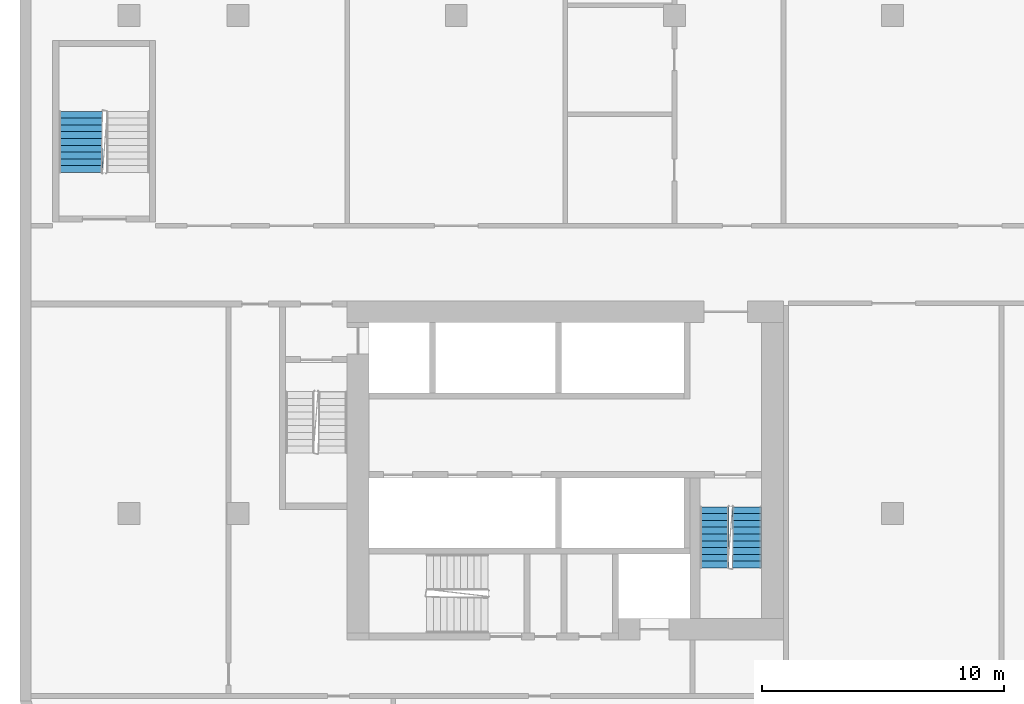
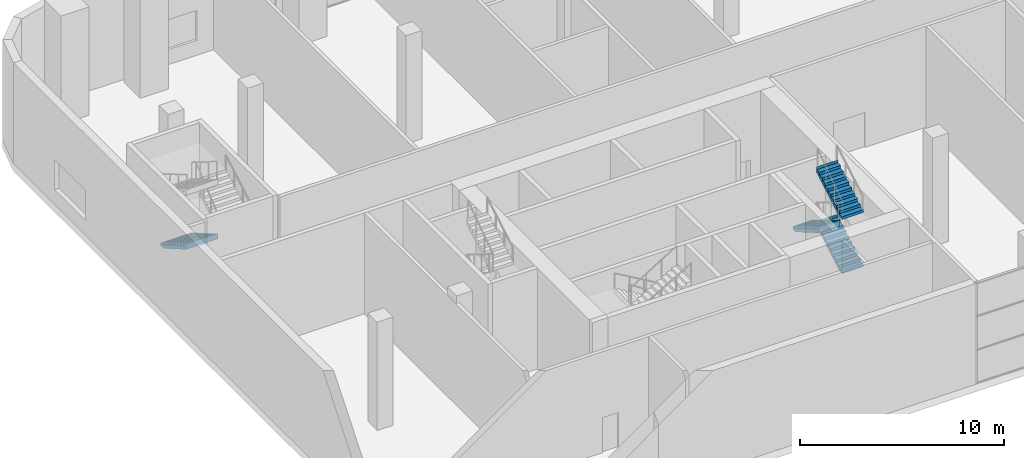
# One storey, part 16 of 24: 4 stair flights, 2 elements without a shape of their own.
"""IFC4 building model written with IfcOpenShell, lengths in metres."""

from ifc_helpers import new_model, si_unit, direction, frame, origin, place, context, subcontext, project, spatial, faceted_brep, material, type_object, element, aggregate, save


model = new_model("IFC4")

# Units and contexts
model_context = context("Model", 3, precision=1e-05, world=origin(), true_north=direction((0.0, 1.0)))
body_context = subcontext(model_context, "Body", "Model", "MODEL_VIEW")
ifc_project = project(units=[si_unit("LENGTHUNIT", "METRE"), si_unit("AREAUNIT", "SQUARE_METRE"), si_unit("VOLUMEUNIT", "CUBIC_METRE"), si_unit("PLANEANGLEUNIT", "RADIAN"), si_unit("MASSUNIT", "GRAM", prefix="KILO")], contexts=[model_context])

# Site, building, storey
site_placement = place(None, origin())
site = spatial("IfcSite", under=ifc_project, at=site_placement, CompositionType="ELEMENT")
building_placement = place(site_placement, origin())
building = spatial("IfcBuilding", under=site, at=building_placement, Name="Kajstack Hotel Tower", CompositionType="ELEMENT")
storey_placement = place(building_placement, frame((0.0, 0.0, 17.0)))
storey = spatial("IfcBuildingStorey", under=building, at=storey_placement, Name="L02", CompositionType="ELEMENT", Elevation=17.0)

# Stair, stair flight
ifc_material = material(Name="Concrete C40/50", Category="concrete")
stair_type_1 = type_object("IfcStairType", Name="Escape stair 1800", PredefinedType="HALF_TURN_STAIR", material=ifc_material)
stair_1_placement = place(storey_placement, origin())
stair_1 = element("IfcStair", 1, at=stair_1_placement, inside=storey, type_object=stair_type_1, Name="L02 stair P1", PredefinedType="HALF_TURN_STAIR")
stair_flight_type_1 = type_object("IfcStairFlightType", Name="Escape stair flight 1800", PredefinedType="STRAIGHT", material=ifc_material)
stair_flight_1_placement = place(storey_placement, frame((-42.5, 6.320068359375, 1.625), z_axis=(0.0, 0.0, 1.0), x_axis=(0.0, -1.0, 0.0)))
stair_flight_1 = element("IfcStairFlight", 2, at=stair_flight_1_placement, type_object=stair_flight_type_1, Name="P1 flight 2", NumberOfRisers=10, NumberOfTreads=9, PredefinedType="STRAIGHT", RiserHeight=0.1625, TreadLength=0.28, context=body_context, shape_type="Brep", body=[
    faceted_brep([(0.299072265625, -0.89990234375, 0.0), (2.5205078125, -0.89990234375, 1.2890625), (2.5205078125, -0.89990234375, 1.625), (2.52001953125, -0.89990234375, 1.625), (2.52001953125, -0.89990234375, 1.46240234375), (2.239990234375, -0.89990234375, 1.46240234375), (2.239990234375, -0.89990234375, 1.300048828125), (1.9599609375, -0.89990234375, 1.300048828125), (1.9599609375, -0.89990234375, 1.137451171875), (1.679931640625, -0.89990234375, 1.137451171875), (1.679931640625, -0.89990234375, 0.97509765625), (1.39990234375, -0.89990234375, 0.97509765625), (1.39990234375, -0.89990234375, 0.8125), (1.1201171875, -0.89990234375, 0.8125), (1.1201171875, -0.89990234375, 0.64990234375), (0.840087890625, -0.89990234375, 0.64990234375), (0.840087890625, -0.89990234375, 0.487548828125), (0.56005859375, -0.89990234375, 0.487548828125), (0.56005859375, -0.89990234375, 0.324951171875), (0.280029296875, -0.89990234375, 0.324951171875), (0.280029296875, -0.89990234375, 0.16259765625), (-0.00048828125, -0.89990234375, 0.16259765625), (-0.00048828125, -0.89990234375, 0.0), (-0.00048828125, 0.89990234375, 0.0), (-0.00048828125, 0.89990234375, 0.16259765625), (0.280029296875, 0.89990234375, 0.16259765625), (0.280029296875, 0.89990234375, 0.324951171875), (0.56005859375, 0.89990234375, 0.324951171875), (0.56005859375, 0.89990234375, 0.487548828125), (0.840087890625, 0.89990234375, 0.487548828125), (0.840087890625, 0.89990234375, 0.64990234375), (1.1201171875, 0.89990234375, 0.64990234375), (1.1201171875, 0.89990234375, 0.8125), (1.39990234375, 0.89990234375, 0.8125), (1.39990234375, 0.89990234375, 0.97509765625), (1.679931640625, 0.89990234375, 0.97509765625), (1.679931640625, 0.89990234375, 1.137451171875), (1.9599609375, 0.89990234375, 1.137451171875), (1.9599609375, 0.89990234375, 1.300048828125), (2.239990234375, 0.89990234375, 1.300048828125), (2.239990234375, 0.89990234375, 1.46240234375), (2.52001953125, 0.89990234375, 1.46240234375), (2.52001953125, 0.89990234375, 1.625), (2.5205078125, 0.89990234375, 1.625), (2.5205078125, 0.89990234375, 1.2890625), (0.299072265625, 0.89990234375, 0.0), (-0.00048828125, -0.449951171875, 0.16259765625), (-0.00048828125, 0.0, 0.16259765625), (-0.00048828125, 0.449951171875, 0.16259765625), (-0.00048828125, 0.449951171875, 0.0), (-0.00048828125, 0.0, 0.0), (-0.00048828125, -0.449951171875, 0.0), (0.280029296875, -0.449951171875, 0.16259765625), (0.280029296875, 0.0, 0.16259765625), (0.280029296875, 0.449951171875, 0.16259765625), (0.280029296875, -0.449951171875, 0.324951171875), (0.280029296875, 0.0, 0.324951171875), (0.280029296875, 0.449951171875, 0.324951171875), (0.56005859375, -0.449951171875, 0.324951171875), (0.56005859375, 0.0, 0.324951171875), (0.56005859375, 0.449951171875, 0.324951171875), (0.56005859375, -0.449951171875, 0.487548828125), (0.56005859375, 0.0, 0.487548828125), (0.56005859375, 0.449951171875, 0.487548828125), (0.840087890625, -0.449951171875, 0.487548828125), (0.840087890625, 0.0, 0.487548828125), (0.840087890625, 0.449951171875, 0.487548828125), (0.840087890625, -0.449951171875, 0.64990234375), (0.840087890625, 0.0, 0.64990234375), (0.840087890625, 0.449951171875, 0.64990234375), (1.1201171875, -0.449951171875, 0.64990234375), (1.1201171875, 0.0, 0.64990234375), (1.1201171875, 0.449951171875, 0.64990234375), (1.1201171875, -0.449951171875, 0.8125), (1.1201171875, 0.0, 0.8125), (1.1201171875, 0.449951171875, 0.8125), (1.39990234375, -0.449951171875, 0.8125), (1.39990234375, 0.0, 0.8125), (1.39990234375, 0.449951171875, 0.8125), (1.39990234375, -0.449951171875, 0.97509765625), (1.39990234375, 0.0, 0.97509765625), (1.39990234375, 0.449951171875, 0.97509765625), (1.679931640625, -0.449951171875, 0.97509765625), (1.679931640625, 0.0, 0.97509765625), (1.679931640625, 0.449951171875, 0.97509765625), (1.679931640625, -0.449951171875, 1.137451171875), (1.679931640625, 0.0, 1.137451171875), (1.679931640625, 0.449951171875, 1.137451171875), (1.9599609375, -0.449951171875, 1.137451171875), (1.9599609375, 0.0, 1.137451171875), (1.9599609375, 0.449951171875, 1.137451171875), (1.9599609375, -0.449951171875, 1.300048828125), (1.9599609375, 0.0, 1.300048828125), (1.9599609375, 0.449951171875, 1.300048828125), (2.239990234375, -0.449951171875, 1.300048828125), (2.239990234375, 0.0, 1.300048828125), (2.239990234375, 0.449951171875, 1.300048828125), (2.239990234375, -0.449951171875, 1.46240234375), (2.239990234375, 0.0, 1.46240234375), (2.239990234375, 0.449951171875, 1.46240234375), (2.52001953125, -0.449951171875, 1.46240234375), (2.52001953125, 0.0, 1.46240234375), (2.52001953125, 0.449951171875, 1.46240234375), (2.52001953125, -0.449951171875, 1.625), (2.52001953125, 0.0, 1.625), (2.52001953125, 0.449951171875, 1.625), (2.5205078125, -0.449951171875, 1.625), (2.5205078125, 0.0, 1.625), (2.5205078125, 0.449951171875, 1.625), (2.5205078125, -0.449951171875, 1.2890625), (2.5205078125, 0.0, 1.2890625), (2.5205078125, 0.449951171875, 1.2890625), (0.299072265625, -0.449951171875, 0.0), (0.299072265625, 0.0, 0.0), (0.299072265625, 0.449951171875, 0.0)], [[[0, 1, 2, 3, 4, 5, 6, 7, 8, 9, 10, 11, 12, 13, 14, 15, 16, 17, 18, 19, 20, 21, 22]], [[23, 24, 25, 26, 27, 28, 29, 30, 31, 32, 33, 34, 35, 36, 37, 38, 39, 40, 41, 42, 43, 44, 45]], [[21, 46, 47, 48, 24, 23, 49, 50, 51, 22]], [[20, 52, 53, 54, 25, 24, 48, 47, 46, 21]], [[19, 55, 56, 57, 26, 25, 54, 53, 52, 20]], [[18, 58, 59, 60, 27, 26, 57, 56, 55, 19]], [[17, 61, 62, 63, 28, 27, 60, 59, 58, 18]], [[16, 64, 65, 66, 29, 28, 63, 62, 61, 17]], [[15, 67, 68, 69, 30, 29, 66, 65, 64, 16]], [[14, 70, 71, 72, 31, 30, 69, 68, 67, 15]], [[13, 73, 74, 75, 32, 31, 72, 71, 70, 14]], [[12, 76, 77, 78, 33, 32, 75, 74, 73, 13]], [[11, 79, 80, 81, 34, 33, 78, 77, 76, 12]], [[10, 82, 83, 84, 35, 34, 81, 80, 79, 11]], [[9, 85, 86, 87, 36, 35, 84, 83, 82, 10]], [[8, 88, 89, 90, 37, 36, 87, 86, 85, 9]], [[7, 91, 92, 93, 38, 37, 90, 89, 88, 8]], [[6, 94, 95, 96, 39, 38, 93, 92, 91, 7]], [[5, 97, 98, 99, 40, 39, 96, 95, 94, 6]], [[4, 100, 101, 102, 41, 40, 99, 98, 97, 5]], [[3, 103, 104, 105, 42, 41, 102, 101, 100, 4]], [[2, 106, 107, 108, 43, 42, 105, 104, 103, 3]], [[1, 109, 110, 111, 44, 43, 108, 107, 106, 2]], [[0, 112, 113, 114, 45, 44, 111, 110, 109, 1]], [[22, 51, 50, 49, 23, 45, 114, 113, 112, 0]]]),
])
aggregate(stair_1, [stair_flight_1])

# Stair, stair flights
stair_type_2 = type_object("IfcStairType", Name="Exit stair 1200", PredefinedType="HALF_TURN_STAIR", material=ifc_material)
stair_2_placement = place(storey_placement, origin())
stair_2 = element("IfcStair", 3, at=stair_2_placement, inside=storey, type_object=stair_type_2, Name="L02 stair W2", PredefinedType="HALF_TURN_STAIR")
stair_flight_type_2 = type_object("IfcStairFlightType", Name="Exit stair flight 1200", PredefinedType="STRAIGHT", material=ifc_material)
stair_flight_2_placement = place(storey_placement, frame((-15.0, -12.52001953125, 1.625), z_axis=(0.0, 0.0, 1.0), x_axis=(0.0, 1.0, 0.0)))
stair_flight_2 = element("IfcStairFlight", 4, at=stair_flight_2_placement, type_object=stair_flight_type_2, Name="W2 flight 2", NumberOfRisers=10, NumberOfTreads=9, PredefinedType="STRAIGHT", RiserHeight=0.1625, TreadLength=0.28, context=body_context, shape_type="Brep", body=[
    faceted_brep([(0.299072265625, -0.60009765625, 0.0), (2.5205078125, -0.60009765625, 1.2890625), (2.5205078125, -0.60009765625, 1.625), (2.52001953125, -0.60009765625, 1.625), (2.52001953125, -0.60009765625, 1.46240234375), (2.239990234375, -0.60009765625, 1.46240234375), (2.239990234375, -0.60009765625, 1.300048828125), (1.9599609375, -0.60009765625, 1.300048828125), (1.9599609375, -0.60009765625, 1.137451171875), (1.679931640625, -0.60009765625, 1.137451171875), (1.679931640625, -0.60009765625, 0.97509765625), (1.39990234375, -0.60009765625, 0.97509765625), (1.39990234375, -0.60009765625, 0.8125), (1.1201171875, -0.60009765625, 0.8125), (1.1201171875, -0.60009765625, 0.64990234375), (0.840087890625, -0.60009765625, 0.64990234375), (0.840087890625, -0.60009765625, 0.487548828125), (0.56005859375, -0.60009765625, 0.487548828125), (0.56005859375, -0.60009765625, 0.324951171875), (0.280029296875, -0.60009765625, 0.324951171875), (0.280029296875, -0.60009765625, 0.16259765625), (-0.00048828125, -0.60009765625, 0.16259765625), (-0.00048828125, -0.60009765625, 0.0), (-0.00048828125, 0.60009765625, 0.0), (-0.00048828125, 0.60009765625, 0.16259765625), (0.280029296875, 0.60009765625, 0.16259765625), (0.280029296875, 0.60009765625, 0.324951171875), (0.56005859375, 0.60009765625, 0.324951171875), (0.56005859375, 0.60009765625, 0.487548828125), (0.840087890625, 0.60009765625, 0.487548828125), (0.840087890625, 0.60009765625, 0.64990234375), (1.1201171875, 0.60009765625, 0.64990234375), (1.1201171875, 0.60009765625, 0.8125), (1.39990234375, 0.60009765625, 0.8125), (1.39990234375, 0.60009765625, 0.97509765625), (1.679931640625, 0.60009765625, 0.97509765625), (1.679931640625, 0.60009765625, 1.137451171875), (1.9599609375, 0.60009765625, 1.137451171875), (1.9599609375, 0.60009765625, 1.300048828125), (2.239990234375, 0.60009765625, 1.300048828125), (2.239990234375, 0.60009765625, 1.46240234375), (2.52001953125, 0.60009765625, 1.46240234375), (2.52001953125, 0.60009765625, 1.625), (2.5205078125, 0.60009765625, 1.625), (2.5205078125, 0.60009765625, 1.2890625), (0.299072265625, 0.60009765625, 0.0), (-0.00048828125, -0.300048828125, 0.16259765625), (-0.00048828125, 0.0, 0.16259765625), (-0.00048828125, 0.300048828125, 0.16259765625), (-0.00048828125, 0.300048828125, 0.0), (-0.00048828125, 0.0, 0.0), (-0.00048828125, -0.300048828125, 0.0), (0.280029296875, -0.300048828125, 0.16259765625), (0.280029296875, 0.0, 0.16259765625), (0.280029296875, 0.300048828125, 0.16259765625), (0.280029296875, -0.300048828125, 0.324951171875), (0.280029296875, 0.0, 0.324951171875), (0.280029296875, 0.300048828125, 0.324951171875), (0.56005859375, -0.300048828125, 0.324951171875), (0.56005859375, 0.0, 0.324951171875), (0.56005859375, 0.300048828125, 0.324951171875), (0.56005859375, -0.300048828125, 0.487548828125), (0.56005859375, 0.0, 0.487548828125), (0.56005859375, 0.300048828125, 0.487548828125), (0.840087890625, -0.300048828125, 0.487548828125), (0.840087890625, 0.0, 0.487548828125), (0.840087890625, 0.300048828125, 0.487548828125), (0.840087890625, -0.300048828125, 0.64990234375), (0.840087890625, 0.0, 0.64990234375), (0.840087890625, 0.300048828125, 0.64990234375), (1.1201171875, -0.300048828125, 0.64990234375), (1.1201171875, 0.0, 0.64990234375), (1.1201171875, 0.300048828125, 0.64990234375), (1.1201171875, -0.300048828125, 0.8125), (1.1201171875, 0.0, 0.8125), (1.1201171875, 0.300048828125, 0.8125), (1.39990234375, -0.300048828125, 0.8125), (1.39990234375, 0.0, 0.8125), (1.39990234375, 0.300048828125, 0.8125), (1.39990234375, -0.300048828125, 0.97509765625), (1.39990234375, 0.0, 0.97509765625), (1.39990234375, 0.300048828125, 0.97509765625), (1.679931640625, -0.300048828125, 0.97509765625), (1.679931640625, 0.0, 0.97509765625), (1.679931640625, 0.300048828125, 0.97509765625), (1.679931640625, -0.300048828125, 1.137451171875), (1.679931640625, 0.0, 1.137451171875), (1.679931640625, 0.300048828125, 1.137451171875), (1.9599609375, -0.300048828125, 1.137451171875), (1.9599609375, 0.0, 1.137451171875), (1.9599609375, 0.300048828125, 1.137451171875), (1.9599609375, -0.300048828125, 1.300048828125), (1.9599609375, 0.0, 1.300048828125), (1.9599609375, 0.300048828125, 1.300048828125), (2.239990234375, -0.300048828125, 1.300048828125), (2.239990234375, 0.0, 1.300048828125), (2.239990234375, 0.300048828125, 1.300048828125), (2.239990234375, -0.300048828125, 1.46240234375), (2.239990234375, 0.0, 1.46240234375), (2.239990234375, 0.300048828125, 1.46240234375), (2.52001953125, -0.300048828125, 1.46240234375), (2.52001953125, 0.0, 1.46240234375), (2.52001953125, 0.300048828125, 1.46240234375), (2.52001953125, -0.300048828125, 1.625), (2.52001953125, 0.0, 1.625), (2.52001953125, 0.300048828125, 1.625), (2.5205078125, -0.300048828125, 1.625), (2.5205078125, 0.0, 1.625), (2.5205078125, 0.300048828125, 1.625), (2.5205078125, -0.300048828125, 1.2890625), (2.5205078125, 0.0, 1.2890625), (2.5205078125, 0.300048828125, 1.2890625), (0.299072265625, -0.300048828125, 0.0), (0.299072265625, 0.0, 0.0), (0.299072265625, 0.300048828125, 0.0)], [[[0, 1, 2, 3, 4, 5, 6, 7, 8, 9, 10, 11, 12, 13, 14, 15, 16, 17, 18, 19, 20, 21, 22]], [[23, 24, 25, 26, 27, 28, 29, 30, 31, 32, 33, 34, 35, 36, 37, 38, 39, 40, 41, 42, 43, 44, 45]], [[21, 46, 47, 48, 24, 23, 49, 50, 51, 22]], [[20, 52, 53, 54, 25, 24, 48, 47, 46, 21]], [[19, 55, 56, 57, 26, 25, 54, 53, 52, 20]], [[18, 58, 59, 60, 27, 26, 57, 56, 55, 19]], [[17, 61, 62, 63, 28, 27, 60, 59, 58, 18]], [[16, 64, 65, 66, 29, 28, 63, 62, 61, 17]], [[15, 67, 68, 69, 30, 29, 66, 65, 64, 16]], [[14, 70, 71, 72, 31, 30, 69, 68, 67, 15]], [[13, 73, 74, 75, 32, 31, 72, 71, 70, 14]], [[12, 76, 77, 78, 33, 32, 75, 74, 73, 13]], [[11, 79, 80, 81, 34, 33, 78, 77, 76, 12]], [[10, 82, 83, 84, 35, 34, 81, 80, 79, 11]], [[9, 85, 86, 87, 36, 35, 84, 83, 82, 10]], [[8, 88, 89, 90, 37, 36, 87, 86, 85, 9]], [[7, 91, 92, 93, 38, 37, 90, 89, 88, 8]], [[6, 94, 95, 96, 39, 38, 93, 92, 91, 7]], [[5, 97, 98, 99, 40, 39, 96, 95, 94, 6]], [[4, 100, 101, 102, 41, 40, 99, 98, 97, 5]], [[3, 103, 104, 105, 42, 41, 102, 101, 100, 4]], [[2, 106, 107, 108, 43, 42, 105, 104, 103, 3]], [[1, 109, 110, 111, 44, 43, 108, 107, 106, 2]], [[0, 112, 113, 114, 45, 44, 111, 110, 109, 1]], [[22, 51, 50, 49, 23, 45, 114, 113, 112, 0]]]),
])
stair_flight_3_placement = place(storey_placement, frame((-16.35009765625, -10.0, 3.25), z_axis=(0.0, 0.0, 1.0), x_axis=(0.0, -1.0, 0.0)))
stair_flight_3 = element("IfcStairFlight", 5, at=stair_flight_3_placement, type_object=stair_flight_type_2, Name="W2 flight 3", NumberOfRisers=10, NumberOfTreads=9, PredefinedType="STRAIGHT", RiserHeight=0.1625, TreadLength=0.28, context=body_context, shape_type="Brep", body=[
    faceted_brep([(0.299072265625, -0.60009765625, 0.0), (2.5205078125, -0.60009765625, 1.2890625), (2.5205078125, -0.60009765625, 1.625), (2.52001953125, -0.60009765625, 1.625), (2.52001953125, -0.60009765625, 1.46240234375), (2.239990234375, -0.60009765625, 1.46240234375), (2.239990234375, -0.60009765625, 1.300048828125), (1.9599609375, -0.60009765625, 1.300048828125), (1.9599609375, -0.60009765625, 1.137451171875), (1.679931640625, -0.60009765625, 1.137451171875), (1.679931640625, -0.60009765625, 0.97509765625), (1.39990234375, -0.60009765625, 0.97509765625), (1.39990234375, -0.60009765625, 0.8125), (1.1201171875, -0.60009765625, 0.8125), (1.1201171875, -0.60009765625, 0.64990234375), (0.840087890625, -0.60009765625, 0.64990234375), (0.840087890625, -0.60009765625, 0.487548828125), (0.56005859375, -0.60009765625, 0.487548828125), (0.56005859375, -0.60009765625, 0.324951171875), (0.280029296875, -0.60009765625, 0.324951171875), (0.280029296875, -0.60009765625, 0.16259765625), (-0.00048828125, -0.60009765625, 0.16259765625), (-0.00048828125, -0.60009765625, 0.0), (-0.00048828125, 0.60009765625, 0.0), (-0.00048828125, 0.60009765625, 0.16259765625), (0.280029296875, 0.60009765625, 0.16259765625), (0.280029296875, 0.60009765625, 0.324951171875), (0.56005859375, 0.60009765625, 0.324951171875), (0.56005859375, 0.60009765625, 0.487548828125), (0.840087890625, 0.60009765625, 0.487548828125), (0.840087890625, 0.60009765625, 0.64990234375), (1.1201171875, 0.60009765625, 0.64990234375), (1.1201171875, 0.60009765625, 0.8125), (1.39990234375, 0.60009765625, 0.8125), (1.39990234375, 0.60009765625, 0.97509765625), (1.679931640625, 0.60009765625, 0.97509765625), (1.679931640625, 0.60009765625, 1.137451171875), (1.9599609375, 0.60009765625, 1.137451171875), (1.9599609375, 0.60009765625, 1.300048828125), (2.239990234375, 0.60009765625, 1.300048828125), (2.239990234375, 0.60009765625, 1.46240234375), (2.52001953125, 0.60009765625, 1.46240234375), (2.52001953125, 0.60009765625, 1.625), (2.5205078125, 0.60009765625, 1.625), (2.5205078125, 0.60009765625, 1.2890625), (0.299072265625, 0.60009765625, 0.0), (-0.00048828125, -0.300048828125, 0.16259765625), (-0.00048828125, 0.0, 0.16259765625), (-0.00048828125, 0.300048828125, 0.16259765625), (-0.00048828125, 0.300048828125, 0.0), (-0.00048828125, 0.0, 0.0), (-0.00048828125, -0.300048828125, 0.0), (0.280029296875, -0.300048828125, 0.16259765625), (0.280029296875, 0.0, 0.16259765625), (0.280029296875, 0.300048828125, 0.16259765625), (0.280029296875, -0.300048828125, 0.324951171875), (0.280029296875, 0.0, 0.324951171875), (0.280029296875, 0.300048828125, 0.324951171875), (0.56005859375, -0.300048828125, 0.324951171875), (0.56005859375, 0.0, 0.324951171875), (0.56005859375, 0.300048828125, 0.324951171875), (0.56005859375, -0.300048828125, 0.487548828125), (0.56005859375, 0.0, 0.487548828125), (0.56005859375, 0.300048828125, 0.487548828125), (0.840087890625, -0.300048828125, 0.487548828125), (0.840087890625, 0.0, 0.487548828125), (0.840087890625, 0.300048828125, 0.487548828125), (0.840087890625, -0.300048828125, 0.64990234375), (0.840087890625, 0.0, 0.64990234375), (0.840087890625, 0.300048828125, 0.64990234375), (1.1201171875, -0.300048828125, 0.64990234375), (1.1201171875, 0.0, 0.64990234375), (1.1201171875, 0.300048828125, 0.64990234375), (1.1201171875, -0.300048828125, 0.8125), (1.1201171875, 0.0, 0.8125), (1.1201171875, 0.300048828125, 0.8125), (1.39990234375, -0.300048828125, 0.8125), (1.39990234375, 0.0, 0.8125), (1.39990234375, 0.300048828125, 0.8125), (1.39990234375, -0.300048828125, 0.97509765625), (1.39990234375, 0.0, 0.97509765625), (1.39990234375, 0.300048828125, 0.97509765625), (1.679931640625, -0.300048828125, 0.97509765625), (1.679931640625, 0.0, 0.97509765625), (1.679931640625, 0.300048828125, 0.97509765625), (1.679931640625, -0.300048828125, 1.137451171875), (1.679931640625, 0.0, 1.137451171875), (1.679931640625, 0.300048828125, 1.137451171875), (1.9599609375, -0.300048828125, 1.137451171875), (1.9599609375, 0.0, 1.137451171875), (1.9599609375, 0.300048828125, 1.137451171875), (1.9599609375, -0.300048828125, 1.300048828125), (1.9599609375, 0.0, 1.300048828125), (1.9599609375, 0.300048828125, 1.300048828125), (2.239990234375, -0.300048828125, 1.300048828125), (2.239990234375, 0.0, 1.300048828125), (2.239990234375, 0.300048828125, 1.300048828125), (2.239990234375, -0.300048828125, 1.46240234375), (2.239990234375, 0.0, 1.46240234375), (2.239990234375, 0.300048828125, 1.46240234375), (2.52001953125, -0.300048828125, 1.46240234375), (2.52001953125, 0.0, 1.46240234375), (2.52001953125, 0.300048828125, 1.46240234375), (2.52001953125, -0.300048828125, 1.625), (2.52001953125, 0.0, 1.625), (2.52001953125, 0.300048828125, 1.625), (2.5205078125, -0.300048828125, 1.625), (2.5205078125, 0.0, 1.625), (2.5205078125, 0.300048828125, 1.625), (2.5205078125, -0.300048828125, 1.2890625), (2.5205078125, 0.0, 1.2890625), (2.5205078125, 0.300048828125, 1.2890625), (0.299072265625, -0.300048828125, 0.0), (0.299072265625, 0.0, 0.0), (0.299072265625, 0.300048828125, 0.0)], [[[0, 1, 2, 3, 4, 5, 6, 7, 8, 9, 10, 11, 12, 13, 14, 15, 16, 17, 18, 19, 20, 21, 22]], [[23, 24, 25, 26, 27, 28, 29, 30, 31, 32, 33, 34, 35, 36, 37, 38, 39, 40, 41, 42, 43, 44, 45]], [[21, 46, 47, 48, 24, 23, 49, 50, 51, 22]], [[20, 52, 53, 54, 25, 24, 48, 47, 46, 21]], [[19, 55, 56, 57, 26, 25, 54, 53, 52, 20]], [[18, 58, 59, 60, 27, 26, 57, 56, 55, 19]], [[17, 61, 62, 63, 28, 27, 60, 59, 58, 18]], [[16, 64, 65, 66, 29, 28, 63, 62, 61, 17]], [[15, 67, 68, 69, 30, 29, 66, 65, 64, 16]], [[14, 70, 71, 72, 31, 30, 69, 68, 67, 15]], [[13, 73, 74, 75, 32, 31, 72, 71, 70, 14]], [[12, 76, 77, 78, 33, 32, 75, 74, 73, 13]], [[11, 79, 80, 81, 34, 33, 78, 77, 76, 12]], [[10, 82, 83, 84, 35, 34, 81, 80, 79, 11]], [[9, 85, 86, 87, 36, 35, 84, 83, 82, 10]], [[8, 88, 89, 90, 37, 36, 87, 86, 85, 9]], [[7, 91, 92, 93, 38, 37, 90, 89, 88, 8]], [[6, 94, 95, 96, 39, 38, 93, 92, 91, 7]], [[5, 97, 98, 99, 40, 39, 96, 95, 94, 6]], [[4, 100, 101, 102, 41, 40, 99, 98, 97, 5]], [[3, 103, 104, 105, 42, 41, 102, 101, 100, 4]], [[2, 106, 107, 108, 43, 42, 105, 104, 103, 3]], [[1, 109, 110, 111, 44, 43, 108, 107, 106, 2]], [[0, 112, 113, 114, 45, 44, 111, 110, 109, 1]], [[22, 51, 50, 49, 23, 45, 114, 113, 112, 0]]]),
])
stair_flight_4_placement = place(storey_placement, frame((-15.0, -12.52001953125, 4.875), z_axis=(0.0, 0.0, 1.0), x_axis=(0.0, 1.0, 0.0)))
stair_flight_4 = element("IfcStairFlight", 6, at=stair_flight_4_placement, type_object=stair_flight_type_2, Name="W2 flight 4", NumberOfRisers=10, NumberOfTreads=9, PredefinedType="STRAIGHT", RiserHeight=0.1625, TreadLength=0.28, context=body_context, shape_type="Brep", body=[
    faceted_brep([(0.299072265625, -0.60009765625, 0.0), (2.5205078125, -0.60009765625, 1.2890625), (2.5205078125, -0.60009765625, 1.625), (2.52001953125, -0.60009765625, 1.625), (2.52001953125, -0.60009765625, 1.46240234375), (2.239990234375, -0.60009765625, 1.46240234375), (2.239990234375, -0.60009765625, 1.300048828125), (1.9599609375, -0.60009765625, 1.300048828125), (1.9599609375, -0.60009765625, 1.137451171875), (1.679931640625, -0.60009765625, 1.137451171875), (1.679931640625, -0.60009765625, 0.97509765625), (1.39990234375, -0.60009765625, 0.97509765625), (1.39990234375, -0.60009765625, 0.8125), (1.1201171875, -0.60009765625, 0.8125), (1.1201171875, -0.60009765625, 0.64990234375), (0.840087890625, -0.60009765625, 0.64990234375), (0.840087890625, -0.60009765625, 0.487548828125), (0.56005859375, -0.60009765625, 0.487548828125), (0.56005859375, -0.60009765625, 0.324951171875), (0.280029296875, -0.60009765625, 0.324951171875), (0.280029296875, -0.60009765625, 0.16259765625), (-0.00048828125, -0.60009765625, 0.16259765625), (-0.00048828125, -0.60009765625, 0.0), (-0.00048828125, 0.60009765625, 0.0), (-0.00048828125, 0.60009765625, 0.16259765625), (0.280029296875, 0.60009765625, 0.16259765625), (0.280029296875, 0.60009765625, 0.324951171875), (0.56005859375, 0.60009765625, 0.324951171875), (0.56005859375, 0.60009765625, 0.487548828125), (0.840087890625, 0.60009765625, 0.487548828125), (0.840087890625, 0.60009765625, 0.64990234375), (1.1201171875, 0.60009765625, 0.64990234375), (1.1201171875, 0.60009765625, 0.8125), (1.39990234375, 0.60009765625, 0.8125), (1.39990234375, 0.60009765625, 0.97509765625), (1.679931640625, 0.60009765625, 0.97509765625), (1.679931640625, 0.60009765625, 1.137451171875), (1.9599609375, 0.60009765625, 1.137451171875), (1.9599609375, 0.60009765625, 1.300048828125), (2.239990234375, 0.60009765625, 1.300048828125), (2.239990234375, 0.60009765625, 1.46240234375), (2.52001953125, 0.60009765625, 1.46240234375), (2.52001953125, 0.60009765625, 1.625), (2.5205078125, 0.60009765625, 1.625), (2.5205078125, 0.60009765625, 1.2890625), (0.299072265625, 0.60009765625, 0.0), (-0.00048828125, -0.300048828125, 0.16259765625), (-0.00048828125, 0.0, 0.16259765625), (-0.00048828125, 0.300048828125, 0.16259765625), (-0.00048828125, 0.300048828125, 0.0), (-0.00048828125, 0.0, 0.0), (-0.00048828125, -0.300048828125, 0.0), (0.280029296875, -0.300048828125, 0.16259765625), (0.280029296875, 0.0, 0.16259765625), (0.280029296875, 0.300048828125, 0.16259765625), (0.280029296875, -0.300048828125, 0.324951171875), (0.280029296875, 0.0, 0.324951171875), (0.280029296875, 0.300048828125, 0.324951171875), (0.56005859375, -0.300048828125, 0.324951171875), (0.56005859375, 0.0, 0.324951171875), (0.56005859375, 0.300048828125, 0.324951171875), (0.56005859375, -0.300048828125, 0.487548828125), (0.56005859375, 0.0, 0.487548828125), (0.56005859375, 0.300048828125, 0.487548828125), (0.840087890625, -0.300048828125, 0.487548828125), (0.840087890625, 0.0, 0.487548828125), (0.840087890625, 0.300048828125, 0.487548828125), (0.840087890625, -0.300048828125, 0.64990234375), (0.840087890625, 0.0, 0.64990234375), (0.840087890625, 0.300048828125, 0.64990234375), (1.1201171875, -0.300048828125, 0.64990234375), (1.1201171875, 0.0, 0.64990234375), (1.1201171875, 0.300048828125, 0.64990234375), (1.1201171875, -0.300048828125, 0.8125), (1.1201171875, 0.0, 0.8125), (1.1201171875, 0.300048828125, 0.8125), (1.39990234375, -0.300048828125, 0.8125), (1.39990234375, 0.0, 0.8125), (1.39990234375, 0.300048828125, 0.8125), (1.39990234375, -0.300048828125, 0.97509765625), (1.39990234375, 0.0, 0.97509765625), (1.39990234375, 0.300048828125, 0.97509765625), (1.679931640625, -0.300048828125, 0.97509765625), (1.679931640625, 0.0, 0.97509765625), (1.679931640625, 0.300048828125, 0.97509765625), (1.679931640625, -0.300048828125, 1.137451171875), (1.679931640625, 0.0, 1.137451171875), (1.679931640625, 0.300048828125, 1.137451171875), (1.9599609375, -0.300048828125, 1.137451171875), (1.9599609375, 0.0, 1.137451171875), (1.9599609375, 0.300048828125, 1.137451171875), (1.9599609375, -0.300048828125, 1.300048828125), (1.9599609375, 0.0, 1.300048828125), (1.9599609375, 0.300048828125, 1.300048828125), (2.239990234375, -0.300048828125, 1.300048828125), (2.239990234375, 0.0, 1.300048828125), (2.239990234375, 0.300048828125, 1.300048828125), (2.239990234375, -0.300048828125, 1.46240234375), (2.239990234375, 0.0, 1.46240234375), (2.239990234375, 0.300048828125, 1.46240234375), (2.52001953125, -0.300048828125, 1.46240234375), (2.52001953125, 0.0, 1.46240234375), (2.52001953125, 0.300048828125, 1.46240234375), (2.52001953125, -0.300048828125, 1.625), (2.52001953125, 0.0, 1.625), (2.52001953125, 0.300048828125, 1.625), (2.5205078125, -0.300048828125, 1.625), (2.5205078125, 0.0, 1.625), (2.5205078125, 0.300048828125, 1.625), (2.5205078125, -0.300048828125, 1.2890625), (2.5205078125, 0.0, 1.2890625), (2.5205078125, 0.300048828125, 1.2890625), (0.299072265625, -0.300048828125, 0.0), (0.299072265625, 0.0, 0.0), (0.299072265625, 0.300048828125, 0.0)], [[[0, 1, 2, 3, 4, 5, 6, 7, 8, 9, 10, 11, 12, 13, 14, 15, 16, 17, 18, 19, 20, 21, 22]], [[23, 24, 25, 26, 27, 28, 29, 30, 31, 32, 33, 34, 35, 36, 37, 38, 39, 40, 41, 42, 43, 44, 45]], [[21, 46, 47, 48, 24, 23, 49, 50, 51, 22]], [[20, 52, 53, 54, 25, 24, 48, 47, 46, 21]], [[19, 55, 56, 57, 26, 25, 54, 53, 52, 20]], [[18, 58, 59, 60, 27, 26, 57, 56, 55, 19]], [[17, 61, 62, 63, 28, 27, 60, 59, 58, 18]], [[16, 64, 65, 66, 29, 28, 63, 62, 61, 17]], [[15, 67, 68, 69, 30, 29, 66, 65, 64, 16]], [[14, 70, 71, 72, 31, 30, 69, 68, 67, 15]], [[13, 73, 74, 75, 32, 31, 72, 71, 70, 14]], [[12, 76, 77, 78, 33, 32, 75, 74, 73, 13]], [[11, 79, 80, 81, 34, 33, 78, 77, 76, 12]], [[10, 82, 83, 84, 35, 34, 81, 80, 79, 11]], [[9, 85, 86, 87, 36, 35, 84, 83, 82, 10]], [[8, 88, 89, 90, 37, 36, 87, 86, 85, 9]], [[7, 91, 92, 93, 38, 37, 90, 89, 88, 8]], [[6, 94, 95, 96, 39, 38, 93, 92, 91, 7]], [[5, 97, 98, 99, 40, 39, 96, 95, 94, 6]], [[4, 100, 101, 102, 41, 40, 99, 98, 97, 5]], [[3, 103, 104, 105, 42, 41, 102, 101, 100, 4]], [[2, 106, 107, 108, 43, 42, 105, 104, 103, 3]], [[1, 109, 110, 111, 44, 43, 108, 107, 106, 2]], [[0, 112, 113, 114, 45, 44, 111, 110, 109, 1]], [[22, 51, 50, 49, 23, 45, 114, 113, 112, 0]]]),
])
aggregate(stair_2, [stair_flight_2, stair_flight_3, stair_flight_4])

save(model, "model.ifc")
